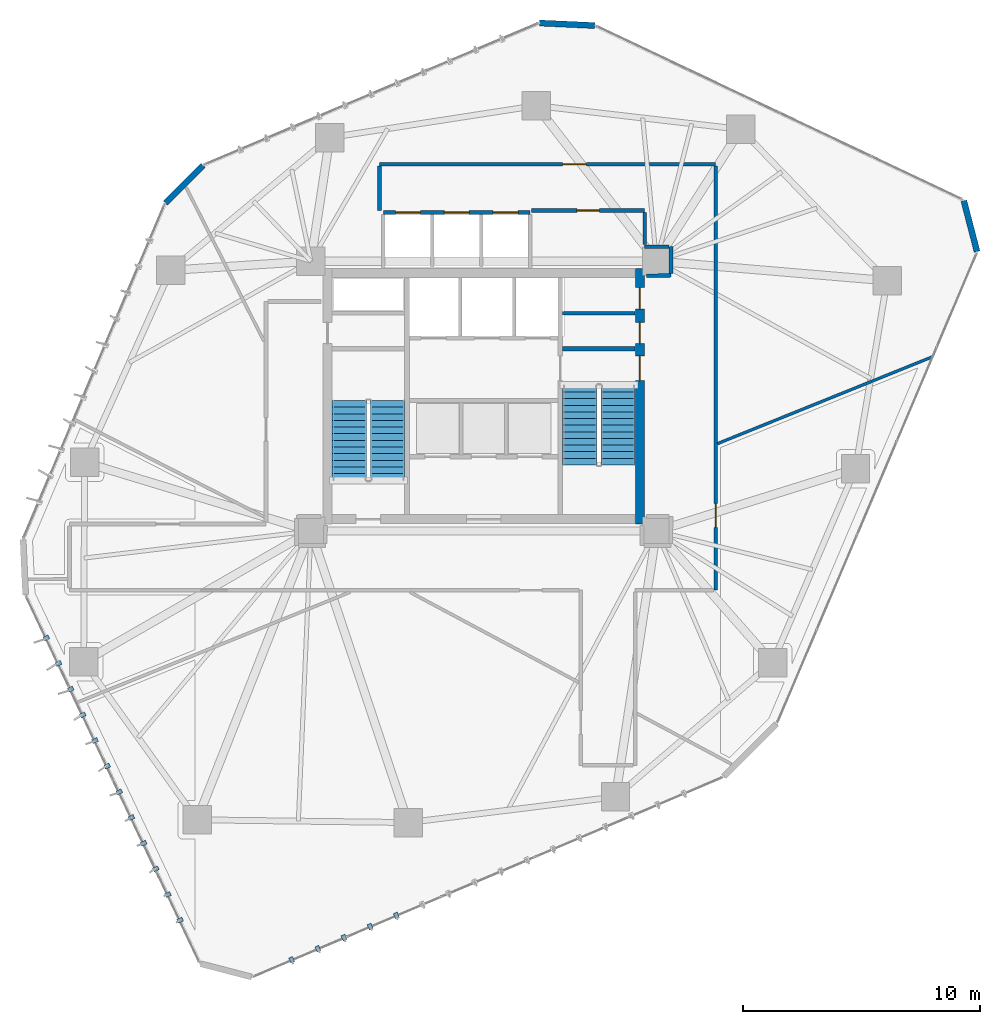
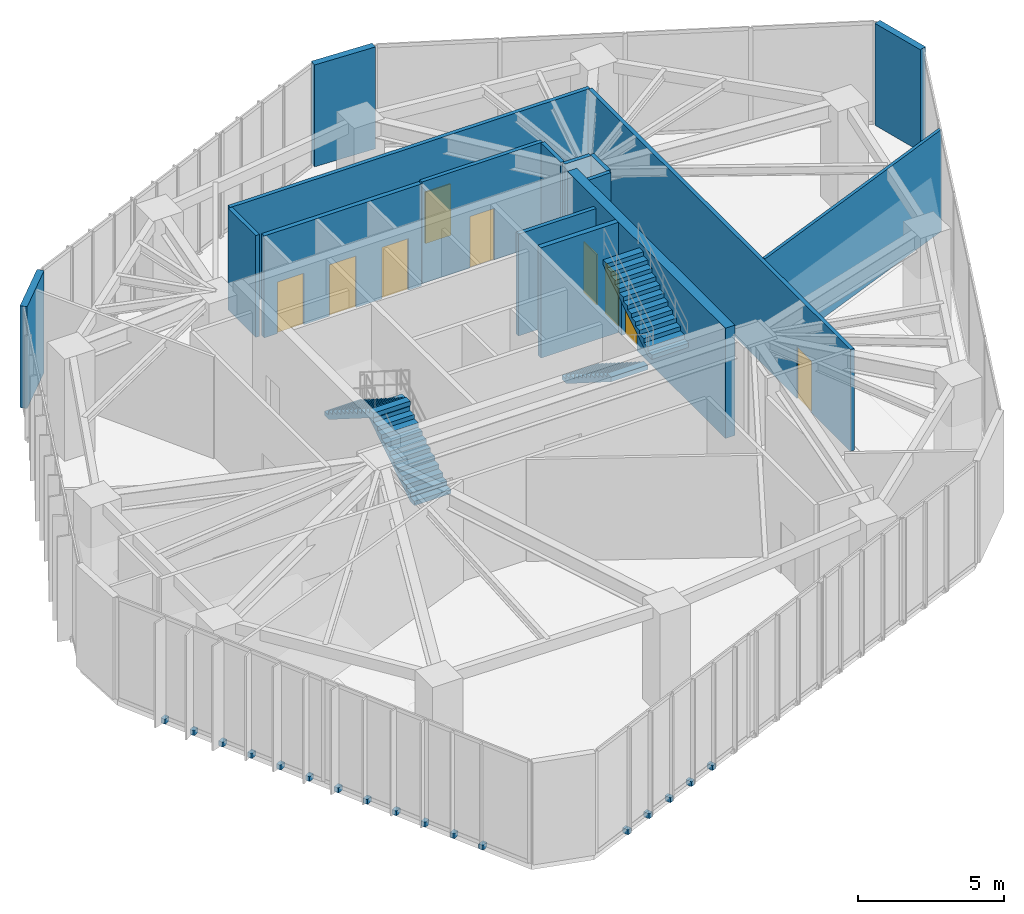
# One storey, part 23 of 28: 17 discrete accessories, 16 walls, 9 doors, 4 stair flights, 9 openings, 2 elements without a shape of their own.
"""IFC4 building model written with IfcOpenShell, lengths in metres."""

from ifc_helpers import new_model, si_unit, direction, frame, frame_2d, origin, origin_2d, place, context, subcontext, project, spatial, polyline, rectangle, outline, extrude, source, transform, mapped, material, layer, layer_set, type_object, type_shapes, element, fill, aggregate, save


model = new_model("IFC4")

# Units and contexts
model_context = context("Model", 3, precision=1e-05, world=origin(), true_north=direction((0.0, 1.0)))
body_context = subcontext(model_context, "Body", "Model", "MODEL_VIEW")
ifc_project = project(units=[si_unit("LENGTHUNIT", "METRE"), si_unit("AREAUNIT", "SQUARE_METRE"), si_unit("VOLUMEUNIT", "CUBIC_METRE"), si_unit("PLANEANGLEUNIT", "RADIAN"), si_unit("MASSUNIT", "GRAM", prefix="KILO")], contexts=[model_context])

# Site, building, storey
site_placement = place(None, origin())
site = spatial("IfcSite", under=ifc_project, at=site_placement, CompositionType="ELEMENT")
building_placement = place(site_placement, origin())
building = spatial("IfcBuilding", under=site, at=building_placement, Name="Talar Marvaseh", CompositionType="ELEMENT")
storey_placement = place(building_placement, frame((0.0, 0.0, 157.800048828125)))
storey = spatial("IfcBuildingStorey", under=building, at=storey_placement, Name="L41", CompositionType="ELEMENT", Elevation=157.800048828125)

# Walls
ifc_material_1 = material(Name="Precast concrete C45/55", Category="concrete")
ifc_layer_1 = layer(ifc_material_1, 0.2548828125)
ifc_layer_set_1 = layer_set([ifc_layer_1], Name="Precast concrete C45/55")
wall_type_1 = type_object("IfcWallType", Name="Chamfered Hexagonal Corner Pier Wall Z2 255", PredefinedType="SOLIDWALL", material=ifc_layer_set_1)
wall_1_placement = place(storey_placement, frame((12.551025390625, 39.361572265625, 0.0), z_axis=(0.0, 0.0, 1.0), x_axis=(0.707106781187, 0.707106781187, 0.0)))
element("IfcWall", 1, at=wall_1_placement, inside=storey, type_object=wall_type_1, Name="L41 Chamfered Corner Limestone Pier 3", PredefinedType="SOLIDWALL", context=body_context, shape_type="SweptSolid", body=[
    extrude(rectangle(XDim=2.244873046875, YDim=0.2548828125, at=frame_2d((1.12255859375, 0.0))), origin(), (0.0, 0.0, 1.0), 4.25),
])
wall_2_placement = place(storey_placement, frame((28.357421875, 46.963134765625, 0.0), z_axis=(0.0, 0.0, 1.0), x_axis=(0.998946489256, -0.045890212495, 0.0)))
element("IfcWall", 2, at=wall_2_placement, inside=storey, type_object=wall_type_1, Name="L41 Chamfered Corner Limestone Pier 4", PredefinedType="SOLIDWALL", context=body_context, shape_type="SweptSolid", body=[
    extrude(rectangle(XDim=2.3408203125, YDim=0.2548828125, at=frame_2d((1.17041015625, 0.0))), origin(), (0.0, 0.0, 1.0), 4.25),
])
wall_3_placement = place(storey_placement, frame((46.287841796875, 39.451416015625, 0.0), z_axis=(0.0, 0.0, 1.0), x_axis=(0.251699885273, -0.967805335671, 0.0)))
element("IfcWall", 3, at=wall_3_placement, inside=storey, type_object=wall_type_1, Name="L41 Chamfered Corner Limestone Pier 5", PredefinedType="SOLIDWALL", context=body_context, shape_type="SweptSolid", body=[
    extrude(rectangle(XDim=2.21630859375, YDim=0.2548828125, at=frame_2d((1.108154296875, 0.0))), origin(), (0.0, 0.0, 1.0), 4.25),
])
ifc_material_2 = material(Name="Gypsum Board Partition Assembly")
ifc_layer_2 = layer(ifc_material_2, 0.155029296875)
ifc_layer_set_2 = layer_set([ifc_layer_2], Name="Gypsum Board Partition Assembly")
wall_type_2 = type_object("IfcWallType", Name="Corridor Fire-Rated Acoustic Partition 155", PredefinedType="PARTITIONING", material=ifc_layer_set_2)
wall_4_placement = place(storey_placement, frame((29.340087890625, 34.699951171875, 0.0), z_axis=(0.0, 0.0, 1.0), x_axis=(1.0, 0.0, 0.0)))
element("IfcWall", 4, at=wall_4_placement, inside=storey, type_object=wall_type_2, Name="L41 Core BOH Partition", PredefinedType="PARTITIONING", context=body_context, shape_type="SweptSolid", body=[
    extrude(rectangle(XDim=3.059814453125, YDim=0.155029296875, at=frame_2d((1.52978515625, 0.0))), origin(), (0.0, 0.0, 1.0), 4.25),
])

# Wall, opening, door
wall_5_placement = place(storey_placement, frame((32.800048828125, 39.0400390625, 0.0), z_axis=(0.0, 0.0, 1.0), x_axis=(-1.0, 0.0, 0.0)))
wall_5 = element("IfcWall", 5, at=wall_5_placement, inside=storey, type_object=wall_type_2, Name="L41 Interior Partition Wall", PredefinedType="PARTITIONING", context=body_context, shape_type="SweptSolid", body=[
    extrude(rectangle(XDim=4.77001953125, YDim=0.155029296875, at=frame_2d((2.385009765625, 0.0))), origin(), (0.0, 0.0, 1.0), 4.25),
])
opening_1_placement = place(wall_5_placement, frame((1.909912109375, 0.0, 0.0)))
opening_1 = element("IfcOpeningElement", 6, at=opening_1_placement, cuts=wall_5, Name="Opening DR-WC095", PredefinedType="OPENING", context=body_context, shape_type="SweptSolid", body=[
    extrude(rectangle(XDim=0.949951171875, YDim=2.14990234375, at=frame_2d((0.47509765625, 1.074951171875))), frame((0.0, 0.08740234375, 0.0), z_axis=(0.0, -1.0, 0.0), x_axis=(1.0, 0.0, 0.0)), (0.0, 0.0, 1.0), 0.175048828125),
])
ifc_material_3 = material(Name="Acoustic Engineered Oak Timber", Category="wood")
door_type_1 = type_object("IfcDoorType", Name="Washroom and Service Room Door 950x2150", OperationType="NOTDEFINED", PredefinedType="DOOR", material=ifc_material_3)
shared_shape_1 = source(origin(), body_context, "Body", "SweptSolid", [
    extrude(rectangle(XDim=0.949951171875, YDim=2.14990234375, at=frame_2d((0.47509765625, 1.074951171875))), frame((0.0, 0.02490234375, 0.0), z_axis=(0.0, -1.0, 0.0), x_axis=(1.0, 0.0, 0.0)), (0.0, 0.0, 1.0), 0.050048828125),
])
type_shapes(door_type_1, [shared_shape_1])
door_1_placement = place(opening_1_placement, origin())
door_1 = element("IfcDoor", 7, at=door_1_placement, inside=storey, type_object=door_type_1, Name="L41 WC Public Washrooms Door", OperationType="SINGLE_SWING_RIGHT", OverallHeight=2.14990234375, OverallWidth=0.949951171875, PredefinedType="DOOR", context=body_context, shape_type="MappedRepresentation", body=[
    mapped(shared_shape_1, transform((0.0, 0.0, 0.0), x_axis=(1.0, 0.0, 0.0), y_axis=(0.0, 1.0, 0.0), z_axis=(0.0, 0.0, 1.0), scale=1.0)),
])
fill(opening_1, door_1)

wall_6_placement = place(storey_placement, frame((21.60009765625, 41.0, 0.0), z_axis=(0.0, 0.0, 1.0), x_axis=(1.0, 0.0, 0.0)))
wall_6 = element("IfcWall", 8, at=wall_6_placement, inside=storey, type_object=wall_type_2, Name="L41 Interior Partition Wall", PredefinedType="PARTITIONING", context=body_context, shape_type="SweptSolid", body=[
    extrude(rectangle(XDim=14.199951171875, YDim=0.155029296875, at=frame_2d((7.10009765625, 0.0))), origin(), (0.0, 0.0, 1.0), 4.25),
])
opening_2_placement = place(wall_6_placement, frame((7.736083984375, 0.0, 0.0)))
opening_2 = element("IfcOpeningElement", 9, at=opening_2_placement, cuts=wall_6, Name="Opening DR-RM100", PredefinedType="OPENING", context=body_context, shape_type="SweptSolid", body=[
    extrude(rectangle(XDim=1.0, YDim=2.14990234375, at=frame_2d((0.5, 1.074951171875))), frame((0.0, 0.08740234375, 0.0), z_axis=(0.0, -1.0, 0.0), x_axis=(1.0, 0.0, 0.0)), (0.0, 0.0, 1.0), 0.175048828125),
])
door_type_2 = type_object("IfcDoorType", Name="Corridor Fire-Rated Gallery Door 1000x2150", OperationType="NOTDEFINED", PredefinedType="DOOR", material=ifc_material_3)
shared_shape_2 = source(origin(), body_context, "Body", "SweptSolid", [
    extrude(rectangle(XDim=1.0, YDim=2.14990234375, at=frame_2d((0.5, 1.074951171875))), frame((0.0, 0.02490234375, 0.0), z_axis=(0.0, -1.0, 0.0), x_axis=(1.0, 0.0, 0.0)), (0.0, 0.0, 1.0), 0.050048828125),
])
type_shapes(door_type_2, [shared_shape_2])
door_2_placement = place(opening_2_placement, origin())
door_2 = element("IfcDoor", 10, at=door_2_placement, inside=storey, type_object=door_type_2, Name="L41 Conservation Briefing Room Door", OperationType="SINGLE_SWING_LEFT", OverallHeight=2.14990234375, OverallWidth=1.0, PredefinedType="DOOR", context=body_context, shape_type="MappedRepresentation", body=[
    mapped(shared_shape_2, transform((0.0, 0.0, 0.0), x_axis=(1.0, 0.0, 0.0), y_axis=(0.0, 1.0, 0.0), z_axis=(0.0, 0.0, 1.0), scale=1.0)),
])
fill(opening_2, door_2)

wall_7_placement = place(storey_placement, frame((35.800048828125, 40.91650390625, 0.0), z_axis=(0.0, 0.0, 1.0), x_axis=(0.0, -1.0, 0.0)))
wall_7 = element("IfcWall", 11, at=wall_7_placement, inside=storey, type_object=wall_type_2, Name="L41 Interior Partition Wall", PredefinedType="PARTITIONING", context=body_context, shape_type="SweptSolid", body=[
    extrude(rectangle(XDim=17.91650390625, YDim=0.155029296875, at=frame_2d((8.958251953125, 0.0))), origin(), (0.0, 0.0, 1.0), 4.25),
])
opening_3_placement = place(wall_7_placement, frame((14.2626953125, 0.0, 0.0)))
opening_3 = element("IfcOpeningElement", 12, at=opening_3_placement, cuts=wall_7, Name="Opening DR-RM100", PredefinedType="OPENING", context=body_context, shape_type="SweptSolid", body=[
    extrude(rectangle(XDim=1.0, YDim=2.14990234375, at=frame_2d((0.5, 1.074951171875))), frame((0.0, 0.08740234375, 0.0), z_axis=(0.0, -1.0, 0.0), x_axis=(1.0, 0.0, 0.0)), (0.0, 0.0, 1.0), 0.175048828125),
])
door_3_placement = place(opening_3_placement, origin())
door_3 = element("IfcDoor", 13, at=door_3_placement, inside=storey, type_object=door_type_2, Name="L41 Visitor Orientation Foyer Door", OperationType="SINGLE_SWING_RIGHT", OverallHeight=2.14990234375, OverallWidth=1.0, PredefinedType="DOOR", context=body_context, shape_type="MappedRepresentation", body=[
    mapped(shared_shape_2, transform((0.0, 0.0, 0.0), x_axis=(1.0, 0.0, 0.0), y_axis=(0.0, 1.0, 0.0), z_axis=(0.0, 0.0, 1.0), scale=1.0)),
])
fill(opening_3, door_3)

# Walls
wall_8_placement = place(storey_placement, frame((32.8701171875, 36.284912109375, 0.0), z_axis=(0.0, 0.0, 1.0), x_axis=(0.999895094683, 0.014484461652, 0.0)))
element("IfcWall", 14, at=wall_8_placement, inside=storey, type_object=wall_type_2, Name="L41 Interior Partition Wall", PredefinedType="PARTITIONING", context=body_context, shape_type="SweptSolid", body=[
    extrude(rectangle(XDim=1.044921875, YDim=0.155029296875, at=frame_2d((0.5224609375, 0.0))), origin(), (0.0, 0.0, 1.0), 4.25),
])
wall_9_placement = place(storey_placement, frame((33.914794921875, 36.383544921875, 0.0), z_axis=(0.0, 0.0, 1.0), x_axis=(-0.003682817312, 0.999993218405, 0.0)))
element("IfcWall", 15, at=wall_9_placement, inside=storey, type_object=wall_type_2, Name="L41 Interior Partition Wall", PredefinedType="PARTITIONING", context=body_context, shape_type="SweptSolid", body=[
    extrude(rectangle(XDim=1.126953125, YDim=0.155029296875, at=frame_2d((0.5634765625, 0.0))), origin(), (0.0, 0.0, 1.0), 4.25),
])
wall_10_placement = place(storey_placement, frame((33.8271484375, 37.510986328125, 0.0), z_axis=(0.0, 0.0, 1.0), x_axis=(-0.99999276797, 0.003803157663, 0.0)))
element("IfcWall", 16, at=wall_10_placement, inside=storey, type_object=wall_type_2, Name="L41 Interior Partition Wall", PredefinedType="PARTITIONING", context=body_context, shape_type="SweptSolid", body=[
    extrude(rectangle(XDim=1.027099609375, YDim=0.155029296875, at=frame_2d((0.513671875, 0.0))), origin(), (0.0, 0.0, 1.0), 4.25),
])
wall_11_placement = place(storey_placement, frame((32.800048828125, 37.598388671875, 0.0), z_axis=(0.0, 0.0, 1.0), x_axis=(0.0, 1.0, 0.0)))
element("IfcWall", 17, at=wall_11_placement, inside=storey, type_object=wall_type_2, Name="L41 Interior Partition Wall", PredefinedType="PARTITIONING", context=body_context, shape_type="SweptSolid", body=[
    extrude(rectangle(XDim=1.358154296875, YDim=0.155029296875, at=frame_2d((0.67919921875, 0.0))), origin(), (0.0, 0.0, 1.0), 4.25),
])
wall_12_placement = place(storey_placement, frame((21.60009765625, 39.0400390625, 0.0), z_axis=(0.0, 0.0, 1.0), x_axis=(0.0, 1.0, 0.0)))
element("IfcWall", 18, at=wall_12_placement, inside=storey, type_object=wall_type_2, Name="L41 Interior Partition Wall", PredefinedType="PARTITIONING", context=body_context, shape_type="SweptSolid", body=[
    extrude(rectangle(XDim=1.87646484375, YDim=0.155029296875, at=frame_2d((0.938232421875, 0.0))), origin(), (0.0, 0.0, 1.0), 4.25),
])
ifc_layer_3 = layer(ifc_material_2, 0.1201171875)
ifc_layer_set_3 = layer_set([ifc_layer_3], Name="Gypsum Board Partition Assembly")
wall_type_3 = type_object("IfcWallType", Name="Demountable Studio Room Partition 120", PredefinedType="PARTITIONING", material=ifc_layer_set_3)
wall_13_placement = place(storey_placement, frame((35.883544921875, 29.19384765625, 0.0), z_axis=(0.0, 0.0, 1.0), x_axis=(0.927181478378, 0.374612474637, 0.0)))
element("IfcWall", 19, at=wall_13_placement, inside=storey, type_object=wall_type_3, Name="L41 Interior Partition Wall", PredefinedType="PARTITIONING", context=body_context, shape_type="SweptSolid", body=[
    extrude(rectangle(XDim=9.779052734375, YDim=0.1201171875, at=frame_2d((4.8896484375, 0.0))), origin(), (0.0, 0.0, 1.0), 4.25),
])

# Wall, openings, doors
ifc_layer_4 = layer(ifc_material_1, 0.175048828125)
ifc_layer_set_4 = layer_set([ifc_layer_4], Name="Precast concrete C45/55")
wall_type_4 = type_object("IfcWallType", Name="Fire-Rated Lift Hoistway Enclosure Wall 175", PredefinedType="SOLIDWALL", material=ifc_layer_set_4)
wall_14_placement = place(storey_placement, frame((21.760009765625, 38.9599609375, 0.0), z_axis=(0.0, 0.0, 1.0), x_axis=(1.0, 0.0, 0.0)))
wall_14 = element("IfcWall", 20, at=wall_14_placement, inside=storey, type_object=wall_type_4, Name="L41 Low-Rise Lift Bank Front Wall", PredefinedType="SOLIDWALL", context=body_context, shape_type="SweptSolid", body=[
    extrude(rectangle(XDim=6.199951171875, YDim=0.175048828125, at=frame_2d((3.10009765625, 0.0))), origin(), (0.0, 0.0, 1.0), 4.25),
])
opening_4_placement = place(wall_14_placement, frame((0.52001953125, 0.0, 0.0)))
opening_4 = element("IfcOpeningElement", 21, at=opening_4_placement, cuts=wall_14, Name="Opening LD-PLL1", PredefinedType="OPENING", context=body_context, shape_type="SweptSolid", body=[
    extrude(rectangle(XDim=1.050048828125, YDim=2.14990234375, at=frame_2d((0.52490234375, 1.074951171875))), frame((0.0, 0.09765625, 0.0), z_axis=(0.0, -1.0, 0.0), x_axis=(1.0, 0.0, 0.0)), (0.0, 0.0, 1.0), 0.195068359375),
])
opening_5_placement = place(wall_14_placement, frame((2.580078125, 0.0, 0.0)))
opening_5 = element("IfcOpeningElement", 22, at=opening_5_placement, cuts=wall_14, Name="Opening LD-PLL2", PredefinedType="OPENING", context=body_context, shape_type="SweptSolid", body=[
    extrude(rectangle(XDim=1.050048828125, YDim=2.14990234375, at=frame_2d((0.52490234375, 1.074951171875))), frame((0.0, 0.09765625, 0.0), z_axis=(0.0, -1.0, 0.0), x_axis=(1.0, 0.0, 0.0)), (0.0, 0.0, 1.0), 0.195068359375),
])
opening_6_placement = place(wall_14_placement, frame((4.639892578125, 0.0, 0.0)))
opening_6 = element("IfcOpeningElement", 23, at=opening_6_placement, cuts=wall_14, Name="Opening LD-PLL3", PredefinedType="OPENING", context=body_context, shape_type="SweptSolid", body=[
    extrude(rectangle(XDim=1.050048828125, YDim=2.14990234375, at=frame_2d((0.52490234375, 1.074951171875))), frame((0.0, 0.09765625, 0.0), z_axis=(0.0, -1.0, 0.0), x_axis=(1.0, 0.0, 0.0)), (0.0, 0.0, 1.0), 0.195068359375),
])
ifc_material_4 = material(Name="Stainless Steel Grade 316", Category="steel")
door_type_3 = type_object("IfcDoorType", Name="Automatic Sliding Lift Landing Door 1050x2150", OperationType="NOTDEFINED", PredefinedType="DOOR", material=ifc_material_4)
shared_shape_3 = source(origin(), body_context, "Body", "SweptSolid", [
    extrude(rectangle(XDim=1.050048828125, YDim=2.14990234375, at=frame_2d((0.52490234375, 1.074951171875))), frame((0.0, 0.02490234375, 0.0), z_axis=(0.0, -1.0, 0.0), x_axis=(1.0, 0.0, 0.0)), (0.0, 0.0, 1.0), 0.050048828125),
])
type_shapes(door_type_3, [shared_shape_3])
door_4_placement = place(opening_4_placement, origin())
door_4 = element("IfcDoor", 24, at=door_4_placement, inside=storey, type_object=door_type_3, Name="L41 Lift PL-L1 Sliding Landing Door", OperationType="SLIDING_TO_LEFT", OverallHeight=2.14990234375, OverallWidth=1.050048828125, PredefinedType="DOOR", context=body_context, shape_type="MappedRepresentation", body=[
    mapped(shared_shape_3, transform((0.0, 0.0, 0.0), x_axis=(1.0, 0.0, 0.0), y_axis=(0.0, 1.0, 0.0), z_axis=(0.0, 0.0, 1.0), scale=1.0)),
])
fill(opening_4, door_4)
door_5_placement = place(opening_5_placement, origin())
door_5 = element("IfcDoor", 25, at=door_5_placement, inside=storey, type_object=door_type_3, Name="L41 Lift PL-L2 Sliding Landing Door", OperationType="SLIDING_TO_LEFT", OverallHeight=2.14990234375, OverallWidth=1.050048828125, PredefinedType="DOOR", context=body_context, shape_type="MappedRepresentation", body=[
    mapped(shared_shape_3, transform((0.0, 0.0, 0.0), x_axis=(1.0, 0.0, 0.0), y_axis=(0.0, 1.0, 0.0), z_axis=(0.0, 0.0, 1.0), scale=1.0)),
])
fill(opening_5, door_5)
door_6_placement = place(opening_6_placement, origin())
door_6 = element("IfcDoor", 26, at=door_6_placement, inside=storey, type_object=door_type_3, Name="L41 Lift PL-L3 Sliding Landing Door", OperationType="SLIDING_TO_LEFT", OverallHeight=2.14990234375, OverallWidth=1.050048828125, PredefinedType="DOOR", context=body_context, shape_type="MappedRepresentation", body=[
    mapped(shared_shape_3, transform((0.0, 0.0, 0.0), x_axis=(1.0, 0.0, 0.0), y_axis=(0.0, 1.0, 0.0), z_axis=(0.0, 0.0, 1.0), scale=1.0)),
])
fill(opening_6, door_6)

ifc_material_5 = material(Name="Concrete C60/75", Category="concrete")
ifc_layer_5 = layer(ifc_material_5, 0.3798828125)
ifc_layer_set_5 = layer_set([ifc_layer_5], Name="Concrete C60/75")
wall_type_5 = type_object("IfcWallType", Name="Mid Core Reinforced Concrete Shear Wall 380", PredefinedType="SHEAR", material=ifc_layer_set_5)
wall_15_placement = place(storey_placement, frame((32.60009765625, 36.60009765625, 0.0), z_axis=(0.0, 0.0, 1.0), x_axis=(0.0, -1.0, 0.0)))
wall_15 = element("IfcWall", 27, at=wall_15_placement, inside=storey, type_object=wall_type_5, Name="L41 East Core Shear Wall", PredefinedType="SHEAR", context=body_context, shape_type="SweptSolid", body=[
    extrude(rectangle(XDim=10.800048828125, YDim=0.3798828125, at=frame_2d((5.39990234375, 0.0))), origin(), (0.0, 0.0, 1.0), 4.599853515625),
])
opening_7_placement = place(wall_15_placement, frame((3.699951171875, 0.0, 0.0)))
opening_7 = element("IfcOpeningElement", 28, at=opening_7_placement, cuts=wall_15, Name="Opening DR-ST105", PredefinedType="OPENING", context=body_context, shape_type="SweptSolid", body=[
    extrude(rectangle(XDim=1.050048828125, YDim=2.14990234375, at=frame_2d((0.52490234375, 1.074951171875))), frame((0.0, 0.199951171875, 0.0), z_axis=(0.0, -1.0, 0.0), x_axis=(1.0, 0.0, 0.0)), (0.0, 0.0, 1.0), 0.39990234375),
])
opening_8_placement = place(wall_15_placement, frame((2.280029296875, 0.0, 0.0)))
opening_8 = element("IfcOpeningElement", 29, at=opening_8_placement, cuts=wall_15, Name="Opening DR-BOH090", PredefinedType="OPENING", context=body_context, shape_type="SweptSolid", body=[
    extrude(rectangle(XDim=0.89990234375, YDim=2.10009765625, at=frame_2d((0.449951171875, 1.050048828125))), frame((0.0, 0.199951171875, 0.0), z_axis=(0.0, -1.0, 0.0), x_axis=(1.0, 0.0, 0.0)), (0.0, 0.0, 1.0), 0.39990234375),
])
opening_9_placement = place(wall_15_placement, frame((0.820068359375, 0.0, 0.0)))
opening_9 = element("IfcOpeningElement", 30, at=opening_9_placement, cuts=wall_15, Name="Opening DR-BOH090", PredefinedType="OPENING", context=body_context, shape_type="SweptSolid", body=[
    extrude(rectangle(XDim=0.89990234375, YDim=2.10009765625, at=frame_2d((0.449951171875, 1.050048828125))), frame((0.0, 0.199951171875, 0.0), z_axis=(0.0, -1.0, 0.0), x_axis=(1.0, 0.0, 0.0)), (0.0, 0.0, 1.0), 0.39990234375),
])
ifc_material_6 = material(Name="Fire-Rated Steel Door Leaf", Category="steel")
door_type_4 = type_object("IfcDoorType", Name="Protected Exit Stair Fire Door 1050x2150", OperationType="NOTDEFINED", PredefinedType="DOOR", material=ifc_material_6)
shared_shape_4 = source(origin(), body_context, "Body", "SweptSolid", [
    extrude(rectangle(XDim=1.050048828125, YDim=2.14990234375, at=frame_2d((0.52490234375, 1.074951171875))), frame((0.0, 0.02490234375, 0.0), z_axis=(0.0, -1.0, 0.0), x_axis=(1.0, 0.0, 0.0)), (0.0, 0.0, 1.0), 0.050048828125),
])
type_shapes(door_type_4, [shared_shape_4])
door_7_placement = place(opening_7_placement, origin())
door_7 = element("IfcDoor", 31, at=door_7_placement, inside=storey, type_object=door_type_4, Name="L41 Stair ST-2 Corridor Exit Door", OperationType="SINGLE_SWING_LEFT", OverallHeight=2.14990234375, OverallWidth=1.050048828125, PredefinedType="DOOR", context=body_context, shape_type="MappedRepresentation", body=[
    mapped(shared_shape_4, transform((0.0, 0.0, 0.0), x_axis=(1.0, 0.0, 0.0), y_axis=(0.0, 1.0, 0.0), z_axis=(0.0, 0.0, 1.0), scale=1.0)),
])
fill(opening_7, door_7)
door_type_5 = type_object("IfcDoorType", Name="Core Back-of-House Service Door 900x2100", OperationType="NOTDEFINED", PredefinedType="DOOR", material=ifc_material_6)
shared_shape_5 = source(origin(), body_context, "Body", "SweptSolid", [
    extrude(rectangle(XDim=0.89990234375, YDim=2.10009765625, at=frame_2d((0.449951171875, 1.050048828125))), frame((0.0, 0.02490234375, 0.0), z_axis=(0.0, -1.0, 0.0), x_axis=(1.0, 0.0, 0.0)), (0.0, 0.0, 1.0), 0.050048828125),
])
type_shapes(door_type_5, [shared_shape_5])
door_8_placement = place(opening_8_placement, origin())
door_8 = element("IfcDoor", 32, at=door_8_placement, inside=storey, type_object=door_type_5, Name="L41 Cleaner Core East Closet Door", OperationType="SINGLE_SWING_LEFT", OverallHeight=2.10009765625, OverallWidth=0.89990234375, PredefinedType="DOOR", context=body_context, shape_type="MappedRepresentation", body=[
    mapped(shared_shape_5, transform((0.0, 0.0, 0.0), x_axis=(1.0, 0.0, 0.0), y_axis=(0.0, 1.0, 0.0), z_axis=(0.0, 0.0, 1.0), scale=1.0)),
])
fill(opening_8, door_8)
door_9_placement = place(opening_9_placement, origin())
door_9 = element("IfcDoor", 33, at=door_9_placement, inside=storey, type_object=door_type_5, Name="L41 Store Core Supplies Room Door", OperationType="SINGLE_SWING_RIGHT", OverallHeight=2.10009765625, OverallWidth=0.89990234375, PredefinedType="DOOR", context=body_context, shape_type="MappedRepresentation", body=[
    mapped(shared_shape_5, transform((0.0, 0.0, 0.0), x_axis=(1.0, 0.0, 0.0), y_axis=(0.0, 1.0, 0.0), z_axis=(0.0, 0.0, 1.0), scale=1.0)),
])
fill(opening_9, door_9)

# Wall
ifc_material_7 = material(Name="Concrete C50/60", Category="concrete")
ifc_layer_6 = layer(ifc_material_7, 0.199951171875)
ifc_layer_set_6 = layer_set([ifc_layer_6], Name="Concrete C50/60")
wall_type_6 = type_object("IfcWallType", Name="Stair Shaft Structural Concrete Shear Wall 200", PredefinedType="SHEAR", material=ifc_layer_set_6)
wall_16_placement = place(storey_placement, frame((29.340087890625, 33.199951171875, 0.0), z_axis=(0.0, 0.0, 1.0), x_axis=(1.0, 0.0, 0.0)))
element("IfcWall", 34, at=wall_16_placement, inside=storey, type_object=wall_type_6, Name="L41 Stair ST-2 North Shear Wall", PredefinedType="SHEAR", context=body_context, shape_type="SweptSolid", body=[
    extrude(rectangle(XDim=3.059814453125, YDim=0.199951171875, at=frame_2d((1.52978515625, 0.0))), origin(), (0.0, 0.0, 1.0), 4.599853515625),
])

# Stair, stair flights
ifc_material_8 = material(Name="Concrete C40/50", Category="concrete")
stair_type = type_object("IfcStairType", Name="Reinforced Concrete Half-Turn Exit Stair Type B", PredefinedType="HALF_TURN_STAIR", material=ifc_material_8)
stair_1_placement = place(storey_placement, origin())
stair_1 = element("IfcStair", 35, at=stair_1_placement, inside=storey, type_object=stair_type, Name="L41 Tower West Core Exit Stair", PredefinedType="HALF_TURN_STAIR")
ifc_layer_7 = layer(ifc_material_8, 0.159912109375)
ifc_layer_set_7 = layer_set([ifc_layer_7], Name="Concrete C40/50")
stair_flight_type = type_object("IfcStairFlightType", Name="Reinforced Concrete Straight Stair Flight 160", PredefinedType="STRAIGHT", material=ifc_layer_set_7)
stair_flight_1_placement = place(storey_placement, frame((21.93505859375, 27.64990234375, 0.0), z_axis=(0.0, 0.0, 1.0), x_axis=(0.0, 1.0, 0.0)))
stair_flight_1 = element("IfcStairFlight", 36, at=stair_flight_1_placement, type_object=stair_flight_type, Name="ST-1 flight 1", NumberOfRisers=13, NumberOfTreads=12, PredefinedType="STRAIGHT", RiserHeight=0.176923077, TreadLength=0.28, context=body_context, shape_type="SweptSolid", body=[
    extrude(outline(polyline([(0.0, 0.0), (0.0, 0.177001953125), (0.280029296875, 0.177001953125), (0.280029296875, 0.353759765625), (0.56005859375, 0.353759765625), (0.56005859375, 0.53076171875), (0.840087890625, 0.53076171875), (0.840087890625, 0.707763671875), (1.1201171875, 0.707763671875), (1.1201171875, 0.884521484375), (1.39990234375, 0.884521484375), (1.39990234375, 1.0615234375), (1.679931640625, 1.0615234375), (1.679931640625, 1.238525390625), (1.9599609375, 1.238525390625), (1.9599609375, 1.415283203125), (2.239990234375, 1.415283203125), (2.239990234375, 1.59228515625), (2.52001953125, 1.59228515625), (2.52001953125, 1.769287109375), (2.800048828125, 1.769287109375), (2.800048828125, 1.946044921875), (3.080078125, 1.946044921875), (3.080078125, 2.123046875), (3.360107421875, 2.123046875), (3.360107421875, 2.300048828125), (3.360107421875, 1.933837890625), (0.29931640625, 0.0), (0.0, 0.0)])), frame((0.0, 0.72509765625, 0.0), z_axis=(0.0, -1.0, 0.0), x_axis=(1.0, 0.0, 0.0)), (0.0, 0.0, 1.0), 1.449951171875),
])
stair_flight_2_placement = place(storey_placement, frame((20.324951171875, 31.010009765625, 2.300048828125), z_axis=(0.0, 0.0, 1.0), x_axis=(0.0, -1.0, 0.0)))
stair_flight_2 = element("IfcStairFlight", 37, at=stair_flight_2_placement, type_object=stair_flight_type, Name="ST-1 flight 2", NumberOfRisers=13, NumberOfTreads=12, PredefinedType="STRAIGHT", RiserHeight=0.176923077, TreadLength=0.28, context=body_context, shape_type="SweptSolid", body=[
    extrude(outline(polyline([(0.0, 0.0), (0.0, 0.177001953125), (0.280029296875, 0.177001953125), (0.280029296875, 0.353759765625), (0.56005859375, 0.353759765625), (0.56005859375, 0.53076171875), (0.840087890625, 0.53076171875), (0.840087890625, 0.707763671875), (1.1201171875, 0.707763671875), (1.1201171875, 0.884521484375), (1.39990234375, 0.884521484375), (1.39990234375, 1.0615234375), (1.679931640625, 1.0615234375), (1.679931640625, 1.238525390625), (1.9599609375, 1.238525390625), (1.9599609375, 1.415283203125), (2.239990234375, 1.415283203125), (2.239990234375, 1.59228515625), (2.52001953125, 1.59228515625), (2.52001953125, 1.769287109375), (2.800048828125, 1.769287109375), (2.800048828125, 1.946044921875), (3.080078125, 1.946044921875), (3.080078125, 2.123046875), (3.360107421875, 2.123046875), (3.360107421875, 2.300048828125), (3.360107421875, 1.933837890625), (0.29931640625, 0.0), (0.0, 0.0)])), frame((0.0, 0.72509765625, 0.0), z_axis=(0.0, -1.0, 0.0), x_axis=(1.0, 0.0, 0.0)), (0.0, 0.0, 1.0), 1.449951171875),
])
aggregate(stair_1, [stair_flight_1, stair_flight_2])

stair_2_placement = place(storey_placement, origin())
stair_2 = element("IfcStair", 38, at=stair_2_placement, inside=storey, type_object=stair_type, Name="L41 Tower East Core Exit Stair", PredefinedType="HALF_TURN_STAIR")
stair_flight_3_placement = place(storey_placement, frame((30.06494140625, 31.64990234375, 0.0), z_axis=(0.0, 0.0, 1.0), x_axis=(0.0, -1.0, 0.0)))
stair_flight_3 = element("IfcStairFlight", 39, at=stair_flight_3_placement, type_object=stair_flight_type, Name="ST-2 flight 1", NumberOfRisers=13, NumberOfTreads=12, PredefinedType="STRAIGHT", RiserHeight=0.176923077, TreadLength=0.28, context=body_context, shape_type="SweptSolid", body=[
    extrude(outline(polyline([(0.0, 0.0), (0.0, 0.177001953125), (0.280029296875, 0.177001953125), (0.280029296875, 0.353759765625), (0.56005859375, 0.353759765625), (0.56005859375, 0.53076171875), (0.840087890625, 0.53076171875), (0.840087890625, 0.707763671875), (1.1201171875, 0.707763671875), (1.1201171875, 0.884521484375), (1.39990234375, 0.884521484375), (1.39990234375, 1.0615234375), (1.679931640625, 1.0615234375), (1.679931640625, 1.238525390625), (1.9599609375, 1.238525390625), (1.9599609375, 1.415283203125), (2.239990234375, 1.415283203125), (2.239990234375, 1.59228515625), (2.52001953125, 1.59228515625), (2.52001953125, 1.769287109375), (2.800048828125, 1.769287109375), (2.800048828125, 1.946044921875), (3.080078125, 1.946044921875), (3.080078125, 2.123046875), (3.360107421875, 2.123046875), (3.360107421875, 2.300048828125), (3.360107421875, 1.933837890625), (0.29931640625, 0.0), (0.0, 0.0)])), frame((0.0, 0.72509765625, 0.0), z_axis=(0.0, -1.0, 0.0), x_axis=(1.0, 0.0, 0.0)), (0.0, 0.0, 1.0), 1.449951171875),
])
stair_flight_4_placement = place(storey_placement, frame((31.675048828125, 28.2900390625, 2.300048828125), z_axis=(0.0, 0.0, 1.0), x_axis=(0.0, 1.0, 0.0)))
stair_flight_4 = element("IfcStairFlight", 40, at=stair_flight_4_placement, type_object=stair_flight_type, Name="ST-2 flight 2", NumberOfRisers=13, NumberOfTreads=12, PredefinedType="STRAIGHT", RiserHeight=0.176923077, TreadLength=0.28, context=body_context, shape_type="SweptSolid", body=[
    extrude(outline(polyline([(0.0, 0.0), (0.0, 0.177001953125), (0.280029296875, 0.177001953125), (0.280029296875, 0.353759765625), (0.56005859375, 0.353759765625), (0.56005859375, 0.53076171875), (0.840087890625, 0.53076171875), (0.840087890625, 0.707763671875), (1.1201171875, 0.707763671875), (1.1201171875, 0.884521484375), (1.39990234375, 0.884521484375), (1.39990234375, 1.0615234375), (1.679931640625, 1.0615234375), (1.679931640625, 1.238525390625), (1.9599609375, 1.238525390625), (1.9599609375, 1.415283203125), (2.239990234375, 1.415283203125), (2.239990234375, 1.59228515625), (2.52001953125, 1.59228515625), (2.52001953125, 1.769287109375), (2.800048828125, 1.769287109375), (2.800048828125, 1.946044921875), (3.080078125, 1.946044921875), (3.080078125, 2.123046875), (3.360107421875, 2.123046875), (3.360107421875, 2.300048828125), (3.360107421875, 1.933837890625), (0.29931640625, 0.0), (0.0, 0.0)])), frame((0.0, 0.72509765625, 0.0), z_axis=(0.0, -1.0, 0.0), x_axis=(1.0, 0.0, 0.0)), (0.0, 0.0, 1.0), 1.449951171875),
])
aggregate(stair_2, [stair_flight_3, stair_flight_4])

# Discrete accessories
discrete_accessory_type = type_object("IfcDiscreteAccessoryType", Name="Stainless Slab-Edge Fin Mounting Bracket", PredefinedType="BRACKET", material=ifc_material_4)
shared_shape_6 = source(origin(), body_context, "Body", "SweptSolid", [
    extrude(rectangle(XDim=0.239990234375, YDim=0.179931640625, at=origin_2d()), origin(), (0.0, 0.0, 1.0), 0.199951171875),
])
type_shapes(discrete_accessory_type, [shared_shape_6])
for number, where, z_axis, x_axis, name in (
    (41, (13.173095703125, 9.056884765625, -0.18017578125), (0.0, 0.0, 1.0), (-0.903709265369, -0.428146661421, 0.0), "L41 Vertical Fin Slab-Edge Bracket"),
    (42, (12.659423828125, 10.141357421875, -0.18017578125), (0.0, 0.0, 1.0), (-0.903709265369, -0.428146661421, 0.0), "L41 Vertical Fin Slab-Edge Bracket"),
    (43, (12.145751953125, 11.225830078125, -0.18017578125), (0.0, 0.0, 1.0), (-0.903709265369, -0.428146661421, 0.0), "L41 Vertical Fin Slab-Edge Bracket"),
    (44, (11.632080078125, 12.310302734375, -0.18017578125), (0.0, 0.0, 1.0), (-0.903709265369, -0.428146661421, 0.0), "L41 Vertical Fin Slab-Edge Bracket"),
    (45, (11.118408203125, 13.394775390625, -0.18017578125), (0.0, 0.0, 1.0), (-0.903709265369, -0.428146661421, 0.0), "L41 Vertical Fin Slab-Edge Bracket"),
    (46, (10.6044921875, 14.479248046875, -0.18017578125), (0.0, 0.0, 1.0), (-0.903709265369, -0.428146661421, 0.0), "L41 Vertical Fin Slab-Edge Bracket"),
    (47, (10.0908203125, 15.563720703125, -0.18017578125), (0.0, 0.0, 1.0), (-0.903709265369, -0.428146661421, 0.0), "L41 Vertical Fin Slab-Edge Bracket"),
    (48, (9.5771484375, 16.648193359375, -0.18017578125), (0.0, 0.0, 1.0), (-0.903709265369, -0.428146661421, 0.0), "L41 Vertical Fin Slab-Edge Bracket"),
    (49, (9.0634765625, 17.732666015625, -0.18017578125), (0.0, 0.0, 1.0), (-0.903709265369, -0.428146661421, 0.0), "L41 Vertical Fin Slab-Edge Bracket"),
    (50, (8.5498046875, 18.817138671875, -0.18017578125), (0.0, 0.0, 1.0), (-0.903709265369, -0.428146661421, 0.0), "L41 Vertical Fin Slab-Edge Bracket"),
    (51, (8.035888671875, 19.901611328125, -0.18017578125), (0.0, 0.0, 1.0), (-0.903709265369, -0.428146661421, 0.0), "L41 Vertical Fin Slab-Edge Bracket"),
    (52, (7.522216796875, 20.986083984375, -0.18017578125), (0.0, 0.0, 1.0), (-0.903709265369, -0.428146661421, 0.0), "L41 Vertical Fin Slab-Edge Bracket"),
    (53, (22.3076171875, 9.2587890625, -0.18017578125), (0.0, 0.0, 1.0), (0.390891780942, -0.920436643986, 0.0), "L41 Vertical Fin Slab-Edge Bracket"),
    (54, (21.202880859375, 8.789794921875, -0.18017578125), (0.0, 0.0, 1.0), (0.390891780942, -0.920436643986, 0.0), "L41 Vertical Fin Slab-Edge Bracket"),
    (55, (20.098388671875, 8.32080078125, -0.18017578125), (0.0, 0.0, 1.0), (0.390891780942, -0.920436643986, 0.0), "L41 Vertical Fin Slab-Edge Bracket"),
    (56, (18.993896484375, 7.851806640625, -0.18017578125), (0.0, 0.0, 1.0), (0.390891780942, -0.920436643986, 0.0), "L41 Vertical Fin Slab-Edge Bracket"),
    (57, (17.889404296875, 7.3828125, -0.18017578125), (0.0, 0.0, 1.0), (0.390891780942, -0.920436643986, 0.0), "L41 Vertical Fin Slab-Edge Bracket"),
):
    element("IfcDiscreteAccessory", number, at=place(storey_placement, frame(where, z_axis=z_axis, x_axis=x_axis)), inside=storey, type_object=discrete_accessory_type, Name=name, PredefinedType="BRACKET", context=body_context, shape_type="MappedRepresentation", body=[
        mapped(shared_shape_6, transform((0.0, 0.0, 0.0), x_axis=(1.0, 0.0, 0.0), y_axis=(0.0, 1.0, 0.0), z_axis=(0.0, 0.0, 1.0), scale=1.0)),
    ])

save(model, "model.ifc")
